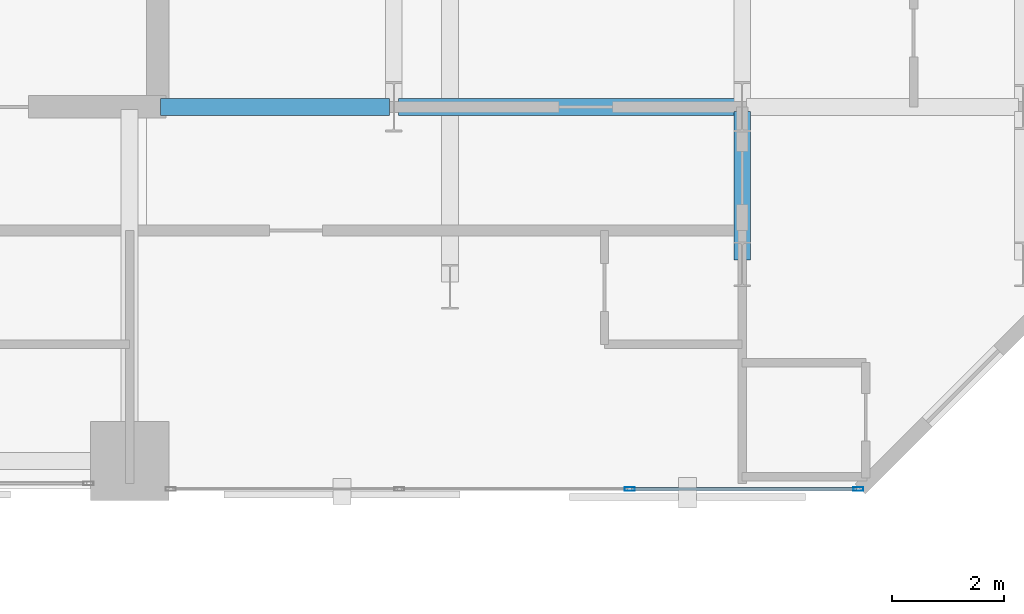
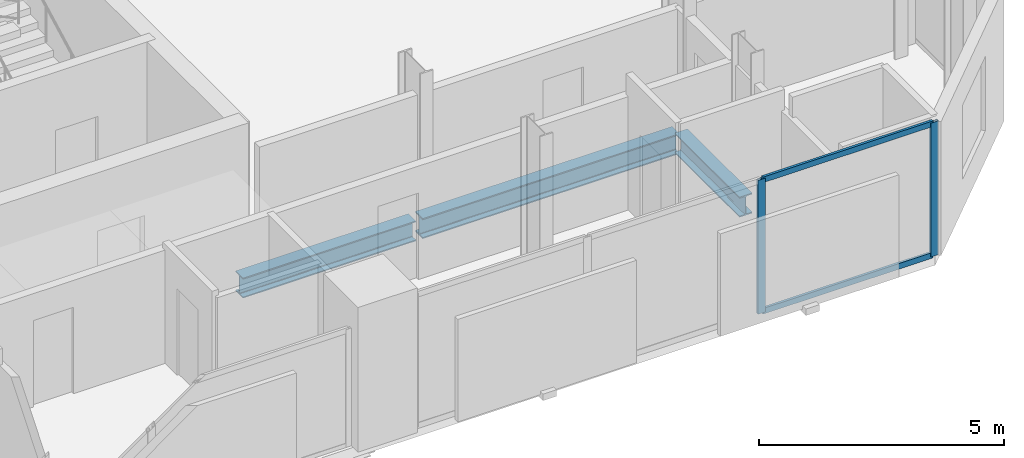
# One storey, part 16 of 33: 4 members, 3 beams, 1 element without a shape of its own.
"""IFC4 building model written with IfcOpenShell, lengths in metres."""

from ifc_helpers import new_model, si_unit, direction, frame, origin, origin_2d, place, context, subcontext, project, spatial, hollow_rectangle, i_section, extrude, material, layer, layer_set, material_profile, profile_set, type_object, element, aggregate, save


model = new_model("IFC4")

# Units and contexts
model_context = context("Model", 3, precision=1e-05, world=origin(), true_north=direction((0.0, 1.0)))
body_context = subcontext(model_context, "Body", "Model", "MODEL_VIEW")
ifc_project = project(units=[si_unit("LENGTHUNIT", "METRE"), si_unit("AREAUNIT", "SQUARE_METRE"), si_unit("VOLUMEUNIT", "CUBIC_METRE"), si_unit("PLANEANGLEUNIT", "RADIAN"), si_unit("MASSUNIT", "GRAM", prefix="KILO")], contexts=[model_context])

# Site, building, storey
site_placement = place(None, origin())
site = spatial("IfcSite", under=ifc_project, at=site_placement, CompositionType="ELEMENT")
building_placement = place(site_placement, origin())
building = spatial("IfcBuilding", under=site, at=building_placement, Name="Catumbela Crestline Tower", CompositionType="ELEMENT")
storey_placement = place(building_placement, frame((0.0, 0.0, 47.4)))
storey = spatial("IfcBuildingStorey", under=building, at=storey_placement, Name="L11", CompositionType="ELEMENT", Elevation=47.4)

# Beams
ifc_material_1 = material(Name="Structural steel S355J2", Category="steel")
ifc_material_profile_1 = material_profile(ifc_material_1, i_section(OverallWidth=0.3, OverallDepth=0.5, WebThickness=0.0145, FlangeThickness=0.028, FilletRadius=0.027, at=origin_2d()), Name="HEB 500")
ifc_profile_set_1 = profile_set([ifc_material_profile_1], Name="Structural steel S355J2")
beam_type = type_object("IfcBeamType", Name="BG-HEB500", PredefinedType="BEAM", material=ifc_profile_set_1)
beam_1_placement = place(storey_placement, frame((40.05, 30.8, -0.51), z_axis=(1.0, 0.0, 0.0), x_axis=(0.0, 1.0, 0.0)))
element("IfcBeam", 1, at=beam_1_placement, inside=storey, type_object=beam_type, Name="L11 Beam BM-L11-M10", PredefinedType="BEAM", context=body_context, shape_type="SweptSolid", body=[
    extrude(i_section(OverallWidth=0.3, OverallDepth=0.5, WebThickness=0.0145, FlangeThickness=0.028, FilletRadius=0.027, at=origin_2d()), origin(), (0.0, 0.0, 1.0), 4.07),
])
beam_2_placement = place(storey_placement, frame((44.28, 30.8, -0.51), z_axis=(1.0, 0.0, 0.0), x_axis=(0.0, 1.0, 0.0)))
element("IfcBeam", 2, at=beam_2_placement, inside=storey, type_object=beam_type, Name="L11 Beam BM-L11-M11", PredefinedType="BEAM", context=body_context, shape_type="SweptSolid", body=[
    extrude(i_section(OverallWidth=0.3, OverallDepth=0.5, WebThickness=0.0145, FlangeThickness=0.028, FilletRadius=0.027, at=origin_2d()), origin(), (0.0, 0.0, 1.0), 6.04),
])
beam_3_placement = place(storey_placement, frame((50.4, 28.08, -0.51), z_axis=(0.0, 1.0, 0.0), x_axis=(-1.0, 0.0, 0.0)))
element("IfcBeam", 3, at=beam_3_placement, inside=storey, type_object=beam_type, Name="L11 Beam BM-L11-SN37", PredefinedType="BEAM", context=body_context, shape_type="SweptSolid", body=[
    extrude(i_section(OverallWidth=0.3, OverallDepth=0.5, WebThickness=0.0145, FlangeThickness=0.028, FilletRadius=0.027, at=origin_2d()), origin(), (0.0, 0.0, 1.0), 2.64),
])

# Curtain wall, members
ifc_material_2 = material(Name="Aluminium alloy AW-6060-T66", Category="aluminium")
ifc_layer = layer(ifc_material_2, 0.18, Name="Aluminium alloy AW-6060-T66")
ifc_layer_set = layer_set([ifc_layer], Name="Aluminium alloy AW-6060-T66")
curtain_wall_type = type_object("IfcCurtainWallType", Name="CWU-Z1", PredefinedType="USERDEFINED", material=ifc_layer_set)
curtain_wall_placement = place(storey_placement, origin())
curtain_wall = element("IfcCurtainWall", 4, at=curtain_wall_placement, inside=storey, type_object=curtain_wall_type, Name="L11 Unitised Curtain Wall CW-L11-E3S2", ObjectType="UNITISED", PredefinedType="USERDEFINED")
ifc_material_profile_2 = material_profile(ifc_material_2, hollow_rectangle(XDim=0.065, YDim=0.18, WallThickness=0.004, at=origin_2d()), Name="ALU 180x65x4")
ifc_profile_set_2 = profile_set([ifc_material_profile_2], Name="Aluminium alloy AW-6060-T66")
member_type_1 = type_object("IfcMemberType", Name="MUL-180X65", PredefinedType="MULLION", material=ifc_profile_set_2)
member_1_placement = place(storey_placement, frame((48.4, 24.0, 0.0), z_axis=(0.0, 0.0, 1.0), x_axis=(0.0, 1.0, 0.0)))
member_1 = element("IfcMember", 5, at=member_1_placement, type_object=member_type_1, Name="CWU-Z1 mullion 3", PredefinedType="MULLION", context=body_context, shape_type="SweptSolid", body=[
    extrude(hollow_rectangle(XDim=0.065, YDim=0.18, WallThickness=0.004, at=origin_2d()), origin(), (0.0, 0.0, 1.0), 3.33),
])
member_2_placement = place(storey_placement, frame((52.4675, 24.0, 0.0), z_axis=(0.0, 0.0, 1.0), x_axis=(0.0, 1.0, 0.0)))
member_2 = element("IfcMember", 6, at=member_2_placement, type_object=member_type_1, Name="CWU-Z1 mullion 4", PredefinedType="MULLION", context=body_context, shape_type="SweptSolid", body=[
    extrude(hollow_rectangle(XDim=0.065, YDim=0.18, WallThickness=0.004, at=origin_2d()), origin(), (0.0, 0.0, 1.0), 3.33),
])
ifc_material_profile_3 = material_profile(ifc_material_2, hollow_rectangle(XDim=0.06, YDim=0.14, WallThickness=0.004, at=origin_2d()), Name="ALU 140x60x4")
ifc_profile_set_3 = profile_set([ifc_material_profile_3], Name="Aluminium alloy AW-6060-T66")
member_type_2 = type_object("IfcMemberType", Name="TRN-140X60", PredefinedType="USERDEFINED", material=ifc_profile_set_3)
member_3_placement = place(storey_placement, frame((48.4325, 24.0, 0.03), z_axis=(1.0, 0.0, 0.0), x_axis=(0.0, 1.0, 0.0)))
member_3 = element("IfcMember", 7, at=member_3_placement, type_object=member_type_2, Name="CWU-Z1 transom 3.1", ObjectType="TRANSOM", PredefinedType="USERDEFINED", context=body_context, shape_type="SweptSolid", body=[
    extrude(hollow_rectangle(XDim=0.06, YDim=0.14, WallThickness=0.004, at=origin_2d()), origin(), (0.0, 0.0, 1.0), 4.0025),
])
member_4_placement = place(storey_placement, frame((48.4325, 24.0, 3.3), z_axis=(1.0, 0.0, 0.0), x_axis=(0.0, 1.0, 0.0)))
member_4 = element("IfcMember", 8, at=member_4_placement, type_object=member_type_2, Name="CWU-Z1 transom 3.2", ObjectType="TRANSOM", PredefinedType="USERDEFINED", context=body_context, shape_type="SweptSolid", body=[
    extrude(hollow_rectangle(XDim=0.06, YDim=0.14, WallThickness=0.004, at=origin_2d()), origin(), (0.0, 0.0, 1.0), 4.0025),
])
aggregate(curtain_wall, [member_1, member_2, member_3, member_4])

save(model, "model.ifc")
